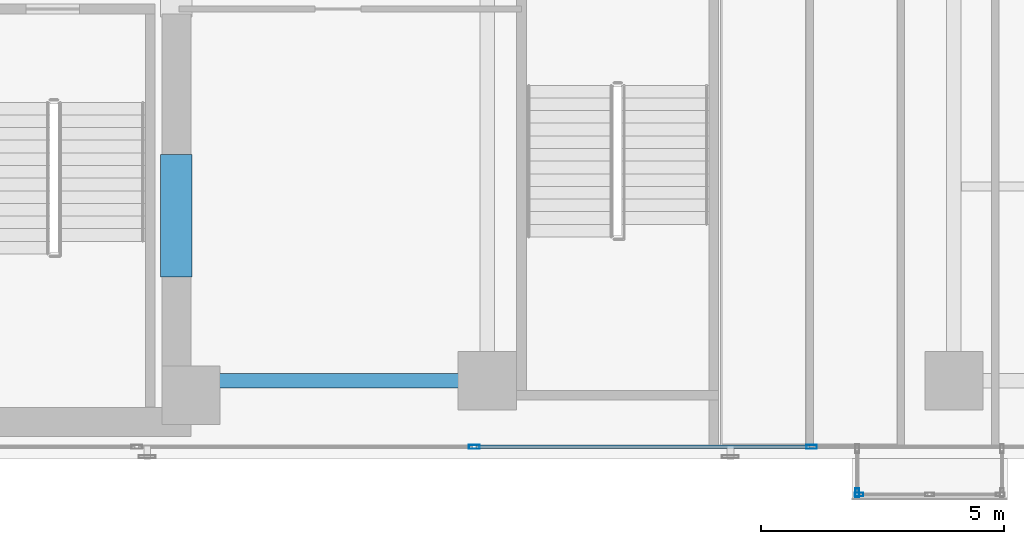
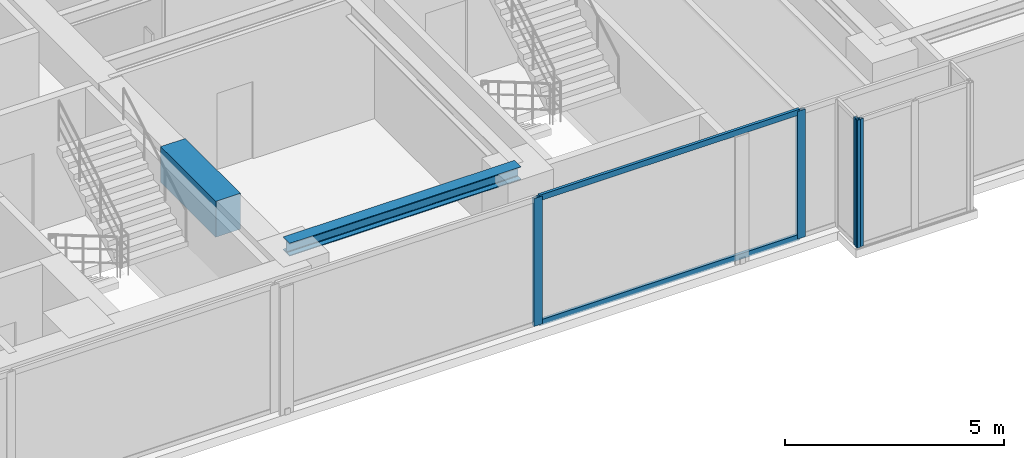
# One storey, part 4 of 27: 6 members, 2 beams, 3 elements without a shape of their own.
"""IFC4 building model written with IfcOpenShell, lengths in metres."""

from ifc_helpers import new_model, si_unit, direction, frame, origin, origin_with_axes, origin_2d, place, context, subcontext, project, spatial, rectangle, hollow_rectangle, i_section, extrude, source, transform, mapped, material, layer, layer_set, material_profile, profile_set, type_object, element, aggregate, save


model = new_model("IFC4")

# Units and contexts
model_context = context("Model", 3, precision=1e-05, world=origin(), true_north=direction((0.0, 1.0)))
body_context = subcontext(model_context, "Body", "Model", "MODEL_VIEW")
ifc_project = project(units=[si_unit("LENGTHUNIT", "METRE"), si_unit("AREAUNIT", "SQUARE_METRE"), si_unit("VOLUMEUNIT", "CUBIC_METRE"), si_unit("PLANEANGLEUNIT", "RADIAN"), si_unit("MASSUNIT", "GRAM", prefix="KILO")], contexts=[model_context])

# Site, building, storey
site_placement = place(None, origin())
site = spatial("IfcSite", under=ifc_project, at=site_placement, CompositionType="ELEMENT")
building_placement = place(site_placement, origin())
building = spatial("IfcBuilding", under=site, at=building_placement, Name="Kolvaren Waterfront Exchange", CompositionType="ELEMENT")
storey_placement = place(building_placement, frame((0.0, 0.0, 161.39990234375)))
storey = spatial("IfcBuildingStorey", under=building, at=storey_placement, Name="L41", CompositionType="ELEMENT", Elevation=161.39990234375)

# Beams
ifc_material_1 = material(Name="Steel S355", Category="steel")
ifc_material_profile_1 = material_profile(ifc_material_1, i_section(OverallWidth=0.300048828125, OverallDepth=0.360107421875, WebThickness=0.012451171875, FlangeThickness=0.0224609375, FilletRadius=0.027099609375, at=origin_2d()), Name="HEB360")
ifc_profile_set_1 = profile_set([ifc_material_profile_1], Name="Steel S355")
beam_type_1 = type_object("IfcBeamType", Name="STR-BM-HEB360", PredefinedType="SPANDREL", material=ifc_profile_set_1)
beam_1_placement = place(storey_placement, frame((21.10009765625, 5.199951171875, 3.380126953125), z_axis=(1.0, 0.0, 0.0), x_axis=(0.0, 1.0, 0.0)))
element("IfcBeam", 1, at=beam_1_placement, inside=storey, type_object=beam_type_1, Name="L41 east-arm spandrel S1", PredefinedType="SPANDREL", context=body_context, shape_type="SweptSolid", body=[
    extrude(i_section(OverallWidth=0.300048828125, OverallDepth=0.360107421875, WebThickness=0.012451171875, FlangeThickness=0.0224609375, FilletRadius=0.027099609375, at=origin_2d()), origin(), (0.0, 0.0, 1.0), 6.099853515625),
])
ifc_material_2 = material(Name="Concrete C60/75", Category="concrete")
ifc_material_profile_2 = material_profile(ifc_material_2, rectangle(XDim=0.64990234375, YDim=1.0, at=origin_2d()), Name="RC-CB-1000x650")
ifc_profile_set_2 = profile_set([ifc_material_profile_2], Name="Concrete C60/75")
beam_type_2 = type_object("IfcBeamType", Name="STR-CB-1000", PredefinedType="SPANDREL", material=ifc_profile_set_2)
beam_2_placement = place(storey_placement, frame((20.800048828125, 7.340087890625, 3.06005859375), z_axis=(0.0, 1.0, 0.0), x_axis=(-1.0, 0.0, 0.0)))
element("IfcBeam", 2, at=beam_2_placement, inside=storey, type_object=beam_type_2, Name="L41 core coupling beam 1", PredefinedType="SPANDREL", context=body_context, shape_type="SweptSolid", body=[
    extrude(rectangle(XDim=0.64990234375, YDim=1.0, at=origin_2d()), origin(), (0.0, 0.0, 1.0), 2.52001953125),
])

# Curtain wall, member
ifc_material_3 = material(Name="Anodised bronze aluminium 6063-T6", Category="aluminium")
ifc_layer_1 = layer(ifc_material_3, 0.219970703125, Name="Anodised bronze aluminium 6063-T6")
ifc_layer_set_1 = layer_set([ifc_layer_1], Name="Anodised bronze aluminium 6063-T6")
curtain_wall_type_1 = type_object("IfcCurtainWallType", Name="ARC-CW-SYS3", PredefinedType="USERDEFINED", material=ifc_layer_set_1)
curtain_wall_1_placement = place(storey_placement, origin())
curtain_wall_1 = element("IfcCurtainWall", 3, at=curtain_wall_1_placement, inside=storey, type_object=curtain_wall_type_1, Name="L41 stick curtain wall CW3 (CW-L41-BOX-W)", ObjectType="STICK CURTAIN WALL", PredefinedType="USERDEFINED")
ifc_material_profile_3 = material_profile(ifc_material_3, hollow_rectangle(XDim=0.074951171875, YDim=0.179931640625, WallThickness=0.00439453125, at=origin_2d()), Name="ALU-MUL-180x75x4.5")
ifc_profile_set_3 = profile_set([ifc_material_profile_3], Name="Anodised bronze aluminium 6063-T6")
member_type_1 = type_object("IfcMemberType", Name="ARC-CWM-180", PredefinedType="MULLION", material=ifc_profile_set_3)
shared_shape_1 = source(origin_with_axes(), body_context, "Body", "SweptSolid", [
    extrude(hollow_rectangle(XDim=0.074951171875, YDim=0.179931640625, WallThickness=0.00439453125, at=origin_2d()), origin(), (0.0, 0.0, 1.0), 3.56005859375),
])
member_1_placement = place(storey_placement, frame((34.81005859375, 2.8974609375, 0.0), z_axis=(0.0, 0.0, 1.0), x_axis=(1.0, 0.0, 0.0)))
member_1 = element("IfcMember", 4, at=member_1_placement, type_object=member_type_1, Name="CW3 mullion 2", PredefinedType="MULLION", context=body_context, shape_type="MappedRepresentation", body=[
    mapped(shared_shape_1, transform((0.0, 0.0, 0.0), x_axis=(1.0, 0.0, 0.0), y_axis=(0.0, 1.0, 0.0), z_axis=(0.0, 0.0, 1.0), scale=1.0)),
])
aggregate(curtain_wall_1, [member_1])

curtain_wall_2_placement = place(storey_placement, origin())
curtain_wall_2 = element("IfcCurtainWall", 5, at=curtain_wall_2_placement, inside=storey, type_object=curtain_wall_type_1, Name="L41 stick curtain wall CW3 (CW-L41-BOX)", ObjectType="STICK CURTAIN WALL", PredefinedType="USERDEFINED")
member_2_placement = place(storey_placement, frame((34.847412109375, 2.860107421875, 0.0), z_axis=(0.0, 0.0, 1.0), x_axis=(0.0, 1.0, 0.0)))
member_2 = element("IfcMember", 6, at=member_2_placement, type_object=member_type_1, Name="CW3 mullion 1", PredefinedType="MULLION", context=body_context, shape_type="MappedRepresentation", body=[
    mapped(shared_shape_1, transform((0.0, 0.0, 0.0), x_axis=(1.0, 0.0, 0.0), y_axis=(0.0, 1.0, 0.0), z_axis=(0.0, 0.0, 1.0), scale=1.0)),
])
aggregate(curtain_wall_2, [member_2])

# Curtain wall, members
ifc_layer_2 = layer(ifc_material_3, 0.219970703125, Name="Anodised bronze aluminium 6063-T6")
ifc_layer_set_2 = layer_set([ifc_layer_2], Name="Anodised bronze aluminium 6063-T6")
curtain_wall_type_2 = type_object("IfcCurtainWallType", Name="ARC-CW-SYS1", PredefinedType="USERDEFINED", material=ifc_layer_set_2)
curtain_wall_3_placement = place(storey_placement, origin())
curtain_wall_3 = element("IfcCurtainWall", 7, at=curtain_wall_3_placement, inside=storey, type_object=curtain_wall_type_2, Name="L41 stick curtain wall CW1 (CW-L41-S)", ObjectType="STICK CURTAIN WALL", PredefinedType="USERDEFINED")
ifc_material_4 = material(Name="Anodised aluminium 6063-T6", Category="aluminium")
ifc_material_profile_4 = material_profile(ifc_material_4, hollow_rectangle(XDim=0.080078125, YDim=0.219970703125, WallThickness=0.0048828125, at=origin_2d()), Name="ALU-MUL-220x80x5")
ifc_profile_set_4 = profile_set([ifc_material_profile_4], Name="Anodised aluminium 6063-T6")
member_type_2 = type_object("IfcMemberType", Name="ARC-CWM-220", PredefinedType="MULLION", material=ifc_profile_set_4)
shared_shape_2 = source(origin_with_axes(), body_context, "Body", "SweptSolid", [
    extrude(hollow_rectangle(XDim=0.080078125, YDim=0.219970703125, WallThickness=0.0048828125, at=origin_2d()), origin(), (0.0, 0.0, 1.0), 3.56005859375),
])
member_3_placement = place(storey_placement, frame((26.928466796875, 3.840087890625, 0.0), z_axis=(0.0, 0.0, 1.0), x_axis=(0.0, 1.0, 0.0)))
member_3 = element("IfcMember", 8, at=member_3_placement, type_object=member_type_2, Name="CW1 mullion 4", PredefinedType="MULLION", context=body_context, shape_type="MappedRepresentation", body=[
    mapped(shared_shape_2, transform((0.0, 0.0, 0.0), x_axis=(1.0, 0.0, 0.0), y_axis=(0.0, 1.0, 0.0), z_axis=(0.0, 0.0, 1.0), scale=1.0)),
])
member_4_placement = place(storey_placement, frame((33.871337890625, 3.840087890625, 0.0), z_axis=(0.0, 0.0, 1.0), x_axis=(0.0, 1.0, 0.0)))
member_4 = element("IfcMember", 9, at=member_4_placement, type_object=member_type_2, Name="CW1 mullion 5", PredefinedType="MULLION", context=body_context, shape_type="MappedRepresentation", body=[
    mapped(shared_shape_2, transform((0.0, 0.0, 0.0), x_axis=(1.0, 0.0, 0.0), y_axis=(0.0, 1.0, 0.0), z_axis=(0.0, 0.0, 1.0), scale=1.0)),
])
ifc_material_profile_5 = material_profile(ifc_material_4, hollow_rectangle(XDim=0.074951171875, YDim=0.159912109375, WallThickness=0.00439453125, at=origin_2d()), Name="ALU-TRN-160x75x4.5")
ifc_profile_set_5 = profile_set([ifc_material_profile_5], Name="Anodised aluminium 6063-T6")
member_type_3 = type_object("IfcMemberType", Name="ARC-CWT-160", PredefinedType="USERDEFINED", material=ifc_profile_set_5)
shared_shape_3 = source(origin_with_axes(), body_context, "Body", "SweptSolid", [
    extrude(hollow_rectangle(XDim=0.074951171875, YDim=0.159912109375, WallThickness=0.00439453125, at=origin_2d()), origin(), (0.0, 0.0, 1.0), 6.863037109375),
])
member_5_placement = place(storey_placement, frame((26.968505859375, 3.840087890625, 0.03759765625), z_axis=(1.0, 0.0, 0.0), x_axis=(0.0, 1.0, 0.0)))
member_5 = element("IfcMember", 10, at=member_5_placement, type_object=member_type_3, Name="CW1 transom 4.1", ObjectType="TRANSOM", PredefinedType="USERDEFINED", context=body_context, shape_type="MappedRepresentation", body=[
    mapped(shared_shape_3, transform((0.0, 0.0, 0.0), x_axis=(1.0, 0.0, 0.0), y_axis=(0.0, 1.0, 0.0), z_axis=(0.0, 0.0, 1.0), scale=1.0)),
])
member_6_placement = place(storey_placement, frame((26.968505859375, 3.840087890625, 3.522705078125), z_axis=(1.0, 0.0, 0.0), x_axis=(0.0, 1.0, 0.0)))
member_6 = element("IfcMember", 11, at=member_6_placement, type_object=member_type_3, Name="CW1 transom 4.2", ObjectType="TRANSOM", PredefinedType="USERDEFINED", context=body_context, shape_type="MappedRepresentation", body=[
    mapped(shared_shape_3, transform((0.0, 0.0, 0.0), x_axis=(1.0, 0.0, 0.0), y_axis=(0.0, 1.0, 0.0), z_axis=(0.0, 0.0, 1.0), scale=1.0)),
])
aggregate(curtain_wall_3, [member_3, member_4, member_5, member_6])

save(model, "model.ifc")
